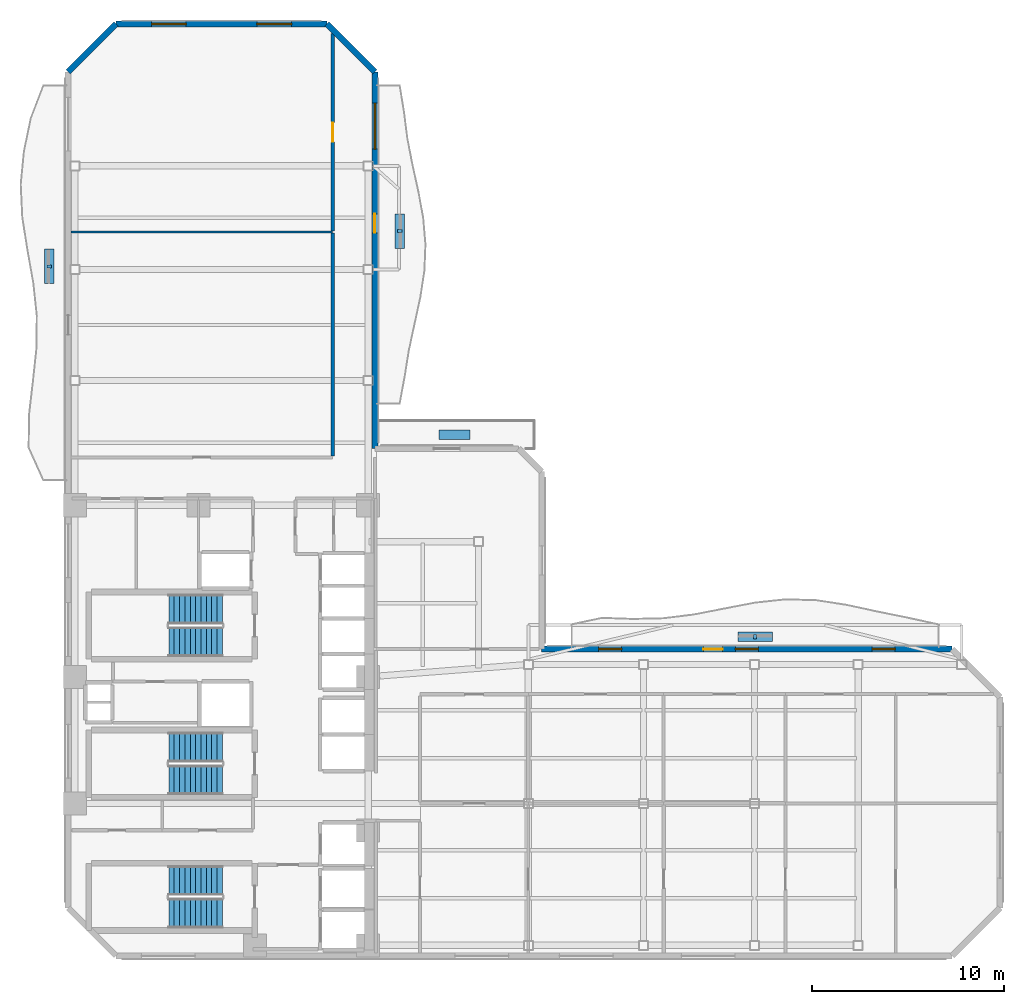
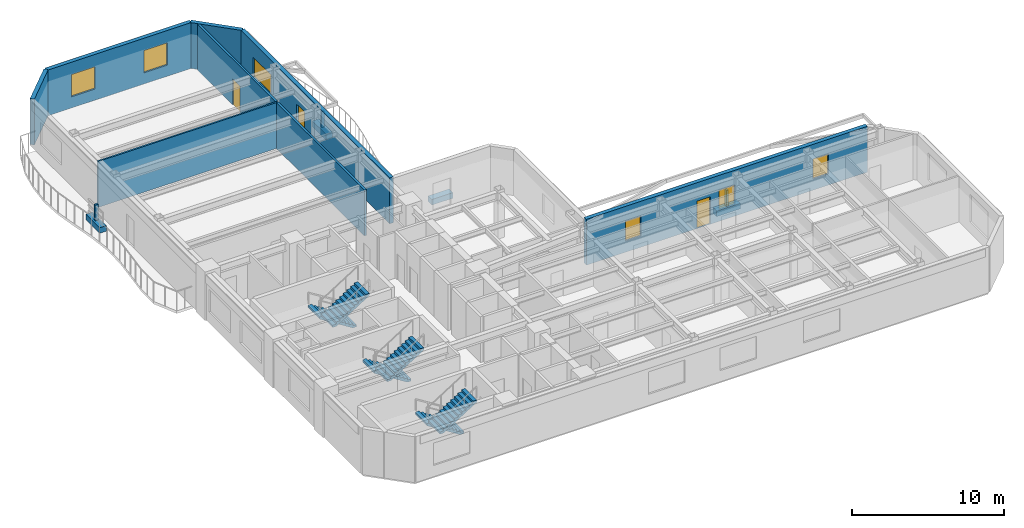
# One storey, part 6 of 12: 8 walls, 7 discrete accessories, 6 stair flights, 6 windows, 3 doors, 9 openings, 3 elements without a shape of their own.
"""IFC4 building model written with IfcOpenShell, lengths in metres."""

from ifc_helpers import new_model, si_unit, direction, frame, frame_2d, origin, origin_2d, place, context, subcontext, project, spatial, polyline, rectangle, outline, extrude, material, layer, layer_set, type_object, element, fill, aggregate, save


model = new_model("IFC4")

# Units and contexts
model_context = context("Model", 3, precision=1e-05, world=origin(), true_north=direction((0.0, 1.0)))
body_context = subcontext(model_context, "Body", "Model", "MODEL_VIEW")
ifc_project = project(units=[si_unit("LENGTHUNIT", "METRE"), si_unit("AREAUNIT", "SQUARE_METRE"), si_unit("VOLUMEUNIT", "CUBIC_METRE"), si_unit("PLANEANGLEUNIT", "RADIAN"), si_unit("MASSUNIT", "GRAM", prefix="KILO")], contexts=[model_context])

# Site, building, storey
site_placement = place(None, origin())
site = spatial("IfcSite", under=ifc_project, at=site_placement, CompositionType="ELEMENT")
building_placement = place(site_placement, origin())
building = spatial("IfcBuilding", under=site, at=building_placement, Name="Mawjaban Terraces University", CompositionType="ELEMENT")
storey_placement = place(building_placement, frame((0.0, 0.0, 134.60009765625)))
storey = spatial("IfcBuildingStorey", under=building, at=storey_placement, Name="L32", CompositionType="ELEMENT", Elevation=134.60009765625)

# Wall
ifc_material_1 = material(Name="Fire-rated gypsum board on steel stud", Category="steel")
ifc_layer_1 = layer(ifc_material_1, 0.159912109375)
ifc_layer_set_1 = layer_set([ifc_layer_1], Name="Fire-rated gypsum board on steel stud")
wall_type_1 = type_object("IfcWallType", Name="CorridorPartition_160", PredefinedType="PARTITIONING", material=ifc_layer_set_1)
wall_1_placement = place(storey_placement, frame((35.800048828125, 37.693115234375, 0.0), z_axis=(0.0, 0.0, 1.0), x_axis=(0.0, -1.0, 0.0)))
element("IfcWall", 1, at=wall_1_placement, inside=storey, type_object=wall_type_1, Name="L32 Inner Terrace Gallery Corridor North Partition 35", PredefinedType="PARTITIONING", context=body_context, shape_type="SweptSolid", body=[
    extrude(rectangle(XDim=11.6181640625, YDim=0.159912109375, at=frame_2d((5.80908203125, 0.0))), origin(), (0.0, 0.0, 1.0), 3.68994140625),
])

# Wall, opening, door
wall_2_placement = place(storey_placement, frame((35.800048828125, 48.094970703125, 0.0), z_axis=(0.0, 0.0, 1.0), x_axis=(0.0, -1.0, 0.0)))
wall_2 = element("IfcWall", 2, at=wall_2_placement, inside=storey, type_object=wall_type_1, Name="L32 Inner Terrace Gallery Corridor North Partition 36", PredefinedType="PARTITIONING", context=body_context, shape_type="SweptSolid", body=[
    extrude(rectangle(XDim=10.2880859375, YDim=0.159912109375, at=frame_2d((5.14404296875, 0.0))), origin(), (0.0, 0.0, 1.0), 3.68994140625),
])
opening_1_placement = place(wall_2_placement, frame((4.64404296875, 0.0, 0.0)))
opening_1 = element("IfcOpeningElement", 3, at=opening_1_placement, cuts=wall_2, Name="Opening ID-100", PredefinedType="OPENING", context=body_context, shape_type="SweptSolid", body=[
    extrude(rectangle(XDim=1.0, YDim=2.10009765625, at=frame_2d((0.5, 1.050048828125))), frame((0.0, 0.08984375, 0.0), z_axis=(0.0, -1.0, 0.0), x_axis=(1.0, 0.0, 0.0)), (0.0, 0.0, 1.0), 0.179931640625),
])
ifc_material_2 = material(Name="Powder-coated steel frame and solid acoustic timber leaf", Category="steel")
door_type_1 = type_object("IfcDoorType", Name="ClassroomDoor_1000x2100", OperationType="NOTDEFINED", PredefinedType="DOOR", material=ifc_material_2)
door_1_placement = place(opening_1_placement, origin())
door_1 = element("IfcDoor", 4, at=door_1_placement, inside=storey, type_object=door_type_1, Name="L32 Classroom 13 Door", OperationType="SINGLE_SWING_LEFT", OverallHeight=2.10009765625, OverallWidth=1.0, PredefinedType="DOOR", context=body_context, shape_type="SweptSolid", body=[
    extrude(rectangle(XDim=1.0, YDim=2.10009765625, at=frame_2d((0.5, 1.050048828125))), frame((0.0, 0.02490234375, 0.0), z_axis=(0.0, -1.0, 0.0), x_axis=(1.0, 0.0, 0.0)), (0.0, 0.0, 1.0), 0.050048828125),
])
fill(opening_1, door_1)

# Wall, openings, door, windows
ifc_material_3 = material(Name="Insulated terracotta rainscreen on concrete backup C40/50", Category="masonry")
ifc_layer_2 = layer(ifc_material_3, 0.300048828125)
ifc_layer_set_2 = layer_set([ifc_layer_2], Name="Insulated terracotta rainscreen on concrete backup C40/50")
wall_type_2 = type_object("IfcWallType", Name="ExtTerracottaWall_300", PredefinedType="SOLIDWALL", material=ifc_layer_set_2)
wall_3_placement = place(storey_placement, frame((68.10009765625, 16.0, 0.0), z_axis=(0.0, 0.0, 1.0), x_axis=(-1.0, 0.0, 0.0)))
wall_3 = element("IfcWall", 5, at=wall_3_placement, inside=storey, type_object=wall_type_2, Name="L32 Exterior Terracotta Wall 5", PredefinedType="SOLIDWALL", context=body_context, shape_type="SweptSolid", body=[
    extrude(rectangle(XDim=21.401123046875, YDim=0.300048828125, at=frame_2d((10.70068359375, 0.0))), origin(), (0.0, 0.0, 1.0), 3.68994140625),
])
opening_2_placement = place(wall_3_placement, frame((11.97412109375, 0.0, 0.0)))
opening_2 = element("IfcOpeningElement", 6, at=opening_2_placement, cuts=wall_3, Name="Opening BD-100", PredefinedType="OPENING", context=body_context, shape_type="SweptSolid", body=[
    extrude(rectangle(XDim=1.0, YDim=2.199951171875, at=frame_2d((0.5, 1.10009765625))), frame((0.0, 0.159912109375, 0.0), z_axis=(0.0, -1.0, 0.0), x_axis=(1.0, 0.0, 0.0)), (0.0, 0.0, 1.0), 0.320068359375),
])
opening_3_placement = place(wall_3_placement, frame((2.967041015625, 0.0, 0.89990234375)))
opening_3 = element("IfcOpeningElement", 7, at=opening_3_placement, cuts=wall_3, Name="Opening W-01", PredefinedType="OPENING", context=body_context, shape_type="SweptSolid", body=[
    extrude(rectangle(XDim=1.199951171875, YDim=1.60009765625, at=frame_2d((0.60009765625, 0.800048828125))), frame((0.0, 0.159912109375, 0.0), z_axis=(0.0, -1.0, 0.0), x_axis=(1.0, 0.0, 0.0)), (0.0, 0.0, 1.0), 0.320068359375),
])
opening_4_placement = place(wall_3_placement, frame((10.10009765625, 0.0, 0.89990234375)))
opening_4 = element("IfcOpeningElement", 8, at=opening_4_placement, cuts=wall_3, Name="Opening W-01", PredefinedType="OPENING", context=body_context, shape_type="SweptSolid", body=[
    extrude(rectangle(XDim=1.199951171875, YDim=1.60009765625, at=frame_2d((0.60009765625, 0.800048828125))), frame((0.0, 0.159912109375, 0.0), z_axis=(0.0, -1.0, 0.0), x_axis=(1.0, 0.0, 0.0)), (0.0, 0.0, 1.0), 0.320068359375),
])
opening_5_placement = place(wall_3_placement, frame((17.23388671875, 0.0, 0.89990234375)))
opening_5 = element("IfcOpeningElement", 9, at=opening_5_placement, cuts=wall_3, Name="Opening W-01", PredefinedType="OPENING", context=body_context, shape_type="SweptSolid", body=[
    extrude(rectangle(XDim=1.199951171875, YDim=1.60009765625, at=frame_2d((0.60009765625, 0.800048828125))), frame((0.0, 0.159912109375, 0.0), z_axis=(0.0, -1.0, 0.0), x_axis=(1.0, 0.0, 0.0)), (0.0, 0.0, 1.0), 0.320068359375),
])
ifc_material_4 = material(Name="Thermally broken anodised aluminium and laminated safety glass", Category="aluminium")
door_type_2 = type_object("IfcDoorType", Name="BalconyGlazedDoor_1000x2200", OperationType="NOTDEFINED", PredefinedType="DOOR", material=ifc_material_4)
door_2_placement = place(opening_2_placement, origin())
door_2 = element("IfcDoor", 10, at=door_2_placement, inside=storey, type_object=door_type_2, Name="L32 Balcony Access Door inner_north", OperationType="SINGLE_SWING_LEFT", OverallHeight=2.199951171875, OverallWidth=1.0, PredefinedType="DOOR", context=body_context, shape_type="SweptSolid", body=[
    extrude(rectangle(XDim=1.0, YDim=2.199951171875, at=frame_2d((0.5, 1.10009765625))), frame((0.0, 0.02490234375, 0.0), z_axis=(0.0, -1.0, 0.0), x_axis=(1.0, 0.0, 0.0)), (0.0, 0.0, 1.0), 0.050048828125),
])
fill(opening_2, door_2)
ifc_material_5 = material(Name="Low-E solar-control double glazing in thermally broken aluminium frame", Category="aluminium")
window_type_1 = type_object("IfcWindowType", Name="Win_1200x1600", PartitioningType="SINGLE_PANEL", PredefinedType="WINDOW", material=ifc_material_5)
window_1_placement = place(opening_3_placement, origin())
window_1 = element("IfcWindow", 11, at=window_1_placement, inside=storey, type_object=window_type_1, Name="L32 Facade Window 5.1", OverallHeight=1.60009765625, OverallWidth=1.199951171875, PartitioningType="SINGLE_PANEL", PredefinedType="WINDOW", context=body_context, shape_type="SweptSolid", body=[
    extrude(rectangle(XDim=1.199951171875, YDim=1.60009765625, at=frame_2d((0.60009765625, 0.800048828125))), frame((0.0, 0.030029296875, 0.0), z_axis=(0.0, -1.0, 0.0), x_axis=(1.0, 0.0, 0.0)), (0.0, 0.0, 1.0), 0.06005859375),
])
fill(opening_3, window_1)
window_2_placement = place(opening_4_placement, origin())
window_2 = element("IfcWindow", 12, at=window_2_placement, inside=storey, type_object=window_type_1, Name="L32 Facade Window 5.2", OverallHeight=1.60009765625, OverallWidth=1.199951171875, PartitioningType="SINGLE_PANEL", PredefinedType="WINDOW", context=body_context, shape_type="SweptSolid", body=[
    extrude(rectangle(XDim=1.199951171875, YDim=1.60009765625, at=frame_2d((0.60009765625, 0.800048828125))), frame((0.0, 0.030029296875, 0.0), z_axis=(0.0, -1.0, 0.0), x_axis=(1.0, 0.0, 0.0)), (0.0, 0.0, 1.0), 0.06005859375),
])
fill(opening_4, window_2)
window_3_placement = place(opening_5_placement, origin())
window_3 = element("IfcWindow", 13, at=window_3_placement, inside=storey, type_object=window_type_1, Name="L32 Facade Window 5.3", OverallHeight=1.60009765625, OverallWidth=1.199951171875, PartitioningType="SINGLE_PANEL", PredefinedType="WINDOW", context=body_context, shape_type="SweptSolid", body=[
    extrude(rectangle(XDim=1.199951171875, YDim=1.60009765625, at=frame_2d((0.60009765625, 0.800048828125))), frame((0.0, 0.030029296875, 0.0), z_axis=(0.0, -1.0, 0.0), x_axis=(1.0, 0.0, 0.0)), (0.0, 0.0, 1.0), 0.06005859375),
])
fill(opening_5, window_3)

# Wall, openings, door, window
wall_4_placement = place(storey_placement, frame((38.0, 26.449951171875, 0.0), z_axis=(0.0, 0.0, 1.0), x_axis=(0.0, 1.0, 0.0)))
wall_4 = element("IfcWall", 14, at=wall_4_placement, inside=storey, type_object=wall_type_2, Name="L32 Exterior Terracotta Wall 9", PredefinedType="SOLIDWALL", context=body_context, shape_type="SweptSolid", body=[
    extrude(rectangle(XDim=19.650146484375, YDim=0.300048828125, at=frame_2d((9.8251953125, 0.0))), origin(), (0.0, 0.0, 1.0), 3.68994140625),
])
opening_6_placement = place(wall_4_placement, frame((11.25, 0.0, 0.0)))
opening_6 = element("IfcOpeningElement", 15, at=opening_6_placement, cuts=wall_4, Name="Opening BD-100", PredefinedType="OPENING", context=body_context, shape_type="SweptSolid", body=[
    extrude(rectangle(XDim=1.0, YDim=2.199951171875, at=frame_2d((0.5, 1.10009765625))), frame((0.0, 0.159912109375, 0.0), z_axis=(0.0, -1.0, 0.0), x_axis=(1.0, 0.0, 0.0)), (0.0, 0.0, 1.0), 0.320068359375),
])
opening_7_placement = place(wall_4_placement, frame((15.625, 0.0, 0.89990234375)))
opening_7 = element("IfcOpeningElement", 16, at=opening_7_placement, cuts=wall_4, Name="Opening W-05", PredefinedType="OPENING", context=body_context, shape_type="SweptSolid", body=[
    extrude(rectangle(XDim=2.39990234375, YDim=1.60009765625, at=frame_2d((1.199951171875, 0.800048828125))), frame((0.0, 0.159912109375, 0.0), z_axis=(0.0, -1.0, 0.0), x_axis=(1.0, 0.0, 0.0)), (0.0, 0.0, 1.0), 0.320068359375),
])
door_3_placement = place(opening_6_placement, origin())
door_3 = element("IfcDoor", 17, at=door_3_placement, inside=storey, type_object=door_type_2, Name="L32 Balcony Access Door inner_east", OperationType="SINGLE_SWING_LEFT", OverallHeight=2.199951171875, OverallWidth=1.0, PredefinedType="DOOR", context=body_context, shape_type="SweptSolid", body=[
    extrude(rectangle(XDim=1.0, YDim=2.199951171875, at=frame_2d((0.5, 1.10009765625))), frame((0.0, 0.02490234375, 0.0), z_axis=(0.0, -1.0, 0.0), x_axis=(1.0, 0.0, 0.0)), (0.0, 0.0, 1.0), 0.050048828125),
])
fill(opening_6, door_3)
window_type_2 = type_object("IfcWindowType", Name="Win_2400x1600", PartitioningType="SINGLE_PANEL", PredefinedType="WINDOW", material=ifc_material_5)
window_4_placement = place(opening_7_placement, origin())
window_4 = element("IfcWindow", 18, at=window_4_placement, inside=storey, type_object=window_type_2, Name="L32 Facade Window 9.3", OverallHeight=1.60009765625, OverallWidth=2.39990234375, PartitioningType="SINGLE_PANEL", PredefinedType="WINDOW", context=body_context, shape_type="SweptSolid", body=[
    extrude(rectangle(XDim=2.39990234375, YDim=1.60009765625, at=frame_2d((1.199951171875, 0.800048828125))), frame((0.0, 0.030029296875, 0.0), z_axis=(0.0, -1.0, 0.0), x_axis=(1.0, 0.0, 0.0)), (0.0, 0.0, 1.0), 0.06005859375),
])
fill(opening_7, window_4)

# Wall
wall_5_placement = place(storey_placement, frame((38.0, 46.10009765625, 0.0), z_axis=(0.0, 0.0, 1.0), x_axis=(-0.707106781187, 0.707106781187, 0.0)))
element("IfcWall", 19, at=wall_5_placement, inside=storey, type_object=wall_type_2, Name="L32 Exterior Terracotta Wall 10", PredefinedType="SOLIDWALL", context=body_context, shape_type="SweptSolid", body=[
    extrude(rectangle(XDim=3.53564453125, YDim=0.300048828125, at=frame_2d((1.767822265625, 0.0))), origin(), (0.0, 0.0, 1.0), 3.68994140625),
])

# Wall, openings, windows
wall_6_placement = place(storey_placement, frame((35.5, 48.60009765625, 0.0), z_axis=(0.0, 0.0, 1.0), x_axis=(-1.0, 0.0, 0.0)))
wall_6 = element("IfcWall", 20, at=wall_6_placement, inside=storey, type_object=wall_type_2, Name="L32 Exterior Terracotta Wall 11", PredefinedType="SOLIDWALL", context=body_context, shape_type="SweptSolid", body=[
    extrude(rectangle(XDim=11.0, YDim=0.300048828125, at=frame_2d((5.5, 0.0))), origin(), (0.0, 0.0, 1.0), 3.68994140625),
])
opening_8_placement = place(wall_6_placement, frame((1.85009765625, 0.0, 0.89990234375)))
opening_8 = element("IfcOpeningElement", 21, at=opening_8_placement, cuts=wall_6, Name="Opening W-07", PredefinedType="OPENING", context=body_context, shape_type="SweptSolid", body=[
    extrude(rectangle(XDim=1.800048828125, YDim=1.800048828125, at=frame_2d((0.89990234375, 0.89990234375))), frame((0.0, 0.159912109375, 0.0), z_axis=(0.0, -1.0, 0.0), x_axis=(1.0, 0.0, 0.0)), (0.0, 0.0, 1.0), 0.320068359375),
])
opening_9_placement = place(wall_6_placement, frame((7.35009765625, 0.0, 0.89990234375)))
opening_9 = element("IfcOpeningElement", 22, at=opening_9_placement, cuts=wall_6, Name="Opening W-07", PredefinedType="OPENING", context=body_context, shape_type="SweptSolid", body=[
    extrude(rectangle(XDim=1.800048828125, YDim=1.800048828125, at=frame_2d((0.89990234375, 0.89990234375))), frame((0.0, 0.159912109375, 0.0), z_axis=(0.0, -1.0, 0.0), x_axis=(1.0, 0.0, 0.0)), (0.0, 0.0, 1.0), 0.320068359375),
])
window_type_3 = type_object("IfcWindowType", Name="Win_1800x1800", PartitioningType="SINGLE_PANEL", PredefinedType="WINDOW", material=ifc_material_5)
window_5_placement = place(opening_8_placement, origin())
window_5 = element("IfcWindow", 23, at=window_5_placement, inside=storey, type_object=window_type_3, Name="L32 Facade Window 11.1", OverallHeight=1.800048828125, OverallWidth=1.800048828125, PartitioningType="SINGLE_PANEL", PredefinedType="WINDOW", context=body_context, shape_type="SweptSolid", body=[
    extrude(rectangle(XDim=1.800048828125, YDim=1.800048828125, at=frame_2d((0.89990234375, 0.89990234375))), frame((0.0, 0.030029296875, 0.0), z_axis=(0.0, -1.0, 0.0), x_axis=(1.0, 0.0, 0.0)), (0.0, 0.0, 1.0), 0.06005859375),
])
fill(opening_8, window_5)
window_6_placement = place(opening_9_placement, origin())
window_6 = element("IfcWindow", 24, at=window_6_placement, inside=storey, type_object=window_type_3, Name="L32 Facade Window 11.2", OverallHeight=1.800048828125, OverallWidth=1.800048828125, PartitioningType="SINGLE_PANEL", PredefinedType="WINDOW", context=body_context, shape_type="SweptSolid", body=[
    extrude(rectangle(XDim=1.800048828125, YDim=1.800048828125, at=frame_2d((0.89990234375, 0.89990234375))), frame((0.0, 0.030029296875, 0.0), z_axis=(0.0, -1.0, 0.0), x_axis=(1.0, 0.0, 0.0)), (0.0, 0.0, 1.0), 0.06005859375),
])
fill(opening_9, window_6)

# Walls
wall_7_placement = place(storey_placement, frame((24.5, 48.60009765625, 0.0), z_axis=(0.0, 0.0, 1.0), x_axis=(-0.707106781187, -0.707106781187, 0.0)))
element("IfcWall", 25, at=wall_7_placement, inside=storey, type_object=wall_type_2, Name="L32 Exterior Terracotta Wall 12", PredefinedType="SOLIDWALL", context=body_context, shape_type="SweptSolid", body=[
    extrude(rectangle(XDim=3.53564453125, YDim=0.300048828125, at=frame_2d((1.767822265625, 0.0))), origin(), (0.0, 0.0, 1.0), 3.68994140625),
])
ifc_material_6 = material(Name="Gypsum plasterboard on steel stud", Category="steel")
ifc_layer_3 = layer(ifc_material_6, 0.125)
ifc_layer_set_3 = layer_set([ifc_layer_3], Name="Gypsum plasterboard on steel stud")
wall_type_3 = type_object("IfcWallType", Name="OfficePartition_125", PredefinedType="PARTITIONING", material=ifc_layer_set_3)
wall_8_placement = place(storey_placement, frame((35.800048828125, 37.75, 0.0), z_axis=(0.0, 0.0, 1.0), x_axis=(-1.0, 0.0, 0.0)))
element("IfcWall", 26, at=wall_8_placement, inside=storey, type_object=wall_type_3, Name="L32 Departmental Office 12 Partition 12", PredefinedType="PARTITIONING", context=body_context, shape_type="SweptSolid", body=[
    extrude(rectangle(XDim=13.655029296875, YDim=0.125, at=frame_2d((6.82763671875, 0.0))), origin(), (0.0, 0.0, 1.0), 3.68994140625),
])

# Stair, stair flights
ifc_material_7 = material(Name="Concrete C40/50", Category="concrete")
stair_type = type_object("IfcStairType", Name="Stair_Core1550_H39", PredefinedType="HALF_TURN_STAIR", material=ifc_material_7)
stair_1_placement = place(storey_placement, origin())
stair_1 = element("IfcStair", 27, at=stair_1_placement, inside=storey, type_object=stair_type, Name="L32 Core Exit Stair 1", PredefinedType="HALF_TURN_STAIR")
stair_flight_type = type_object("IfcStairFlightType", Name="Flight_Core1550_H39", PredefinedType="STRAIGHT", material=ifc_material_7)
stair_flight_1_placement = place(storey_placement, frame((30.050048828125, 3.925048828125, 0.0), z_axis=(0.0, 0.0, 1.0), x_axis=(-1.0, 0.0, 0.0)))
stair_flight_1 = element("IfcStairFlight", 28, at=stair_flight_1_placement, type_object=stair_flight_type, Name="ST-1 flight 1", NumberOfRisers=11, NumberOfTreads=10, PredefinedType="STRAIGHT", RiserHeight=0.177272727, TreadLength=0.28, context=body_context, shape_type="SweptSolid", body=[
    extrude(outline(polyline([(0.0, 0.0), (0.0, 0.17724609375), (0.280029296875, 0.17724609375), (0.280029296875, 0.3544921875), (0.56005859375, 0.3544921875), (0.56005859375, 0.53173828125), (0.840087890625, 0.53173828125), (0.840087890625, 0.708984375), (1.1201171875, 0.708984375), (1.1201171875, 0.886474609375), (1.39990234375, 0.886474609375), (1.39990234375, 1.063720703125), (1.679931640625, 1.063720703125), (1.679931640625, 1.240966796875), (1.9599609375, 1.240966796875), (1.9599609375, 1.418212890625), (2.239990234375, 1.418212890625), (2.239990234375, 1.595458984375), (2.52001953125, 1.595458984375), (2.52001953125, 1.772705078125), (2.800048828125, 1.772705078125), (2.800048828125, 1.949951171875), (2.800048828125, 1.59521484375), (0.2802734375, 0.0), (0.0, 0.0)])), frame((0.0, 0.77490234375, 0.0), z_axis=(0.0, -1.0, 0.0), x_axis=(1.0, 0.0, 0.0)), (0.0, 0.0, 1.0), 1.550048828125),
])
stair_flight_2_placement = place(storey_placement, frame((27.25, 2.22509765625, 1.949951171875), z_axis=(0.0, 0.0, 1.0), x_axis=(1.0, 0.0, 0.0)))
stair_flight_2 = element("IfcStairFlight", 29, at=stair_flight_2_placement, type_object=stair_flight_type, Name="ST-1 flight 2", NumberOfRisers=11, NumberOfTreads=10, PredefinedType="STRAIGHT", RiserHeight=0.177272727, TreadLength=0.28, context=body_context, shape_type="SweptSolid", body=[
    extrude(outline(polyline([(0.0, 0.0), (0.0, 0.17724609375), (0.280029296875, 0.17724609375), (0.280029296875, 0.3544921875), (0.56005859375, 0.3544921875), (0.56005859375, 0.53173828125), (0.840087890625, 0.53173828125), (0.840087890625, 0.708984375), (1.1201171875, 0.708984375), (1.1201171875, 0.886474609375), (1.39990234375, 0.886474609375), (1.39990234375, 1.063720703125), (1.679931640625, 1.063720703125), (1.679931640625, 1.240966796875), (1.9599609375, 1.240966796875), (1.9599609375, 1.418212890625), (2.239990234375, 1.418212890625), (2.239990234375, 1.595458984375), (2.52001953125, 1.595458984375), (2.52001953125, 1.772705078125), (2.800048828125, 1.772705078125), (2.800048828125, 1.949951171875), (2.800048828125, 1.59521484375), (0.2802734375, 0.0), (0.0, 0.0)])), frame((0.0, 0.77490234375, 0.0), z_axis=(0.0, -1.0, 0.0), x_axis=(1.0, 0.0, 0.0)), (0.0, 0.0, 1.0), 1.550048828125),
])
aggregate(stair_1, [stair_flight_1, stair_flight_2])

stair_2_placement = place(storey_placement, origin())
stair_2 = element("IfcStair", 30, at=stair_2_placement, inside=storey, type_object=stair_type, Name="L32 Core Exit Stair 2", PredefinedType="HALF_TURN_STAIR")
stair_flight_3_placement = place(storey_placement, frame((30.050048828125, 18.074951171875, 0.0), z_axis=(0.0, 0.0, 1.0), x_axis=(-1.0, 0.0, 0.0)))
stair_flight_3 = element("IfcStairFlight", 31, at=stair_flight_3_placement, type_object=stair_flight_type, Name="ST-2 flight 1", NumberOfRisers=11, NumberOfTreads=10, PredefinedType="STRAIGHT", RiserHeight=0.177272727, TreadLength=0.28, context=body_context, shape_type="SweptSolid", body=[
    extrude(outline(polyline([(0.0, 0.0), (0.0, 0.17724609375), (0.280029296875, 0.17724609375), (0.280029296875, 0.3544921875), (0.56005859375, 0.3544921875), (0.56005859375, 0.53173828125), (0.840087890625, 0.53173828125), (0.840087890625, 0.708984375), (1.1201171875, 0.708984375), (1.1201171875, 0.886474609375), (1.39990234375, 0.886474609375), (1.39990234375, 1.063720703125), (1.679931640625, 1.063720703125), (1.679931640625, 1.240966796875), (1.9599609375, 1.240966796875), (1.9599609375, 1.418212890625), (2.239990234375, 1.418212890625), (2.239990234375, 1.595458984375), (2.52001953125, 1.595458984375), (2.52001953125, 1.772705078125), (2.800048828125, 1.772705078125), (2.800048828125, 1.949951171875), (2.800048828125, 1.59521484375), (0.2802734375, 0.0), (0.0, 0.0)])), frame((0.0, 0.77490234375, 0.0), z_axis=(0.0, -1.0, 0.0), x_axis=(1.0, 0.0, 0.0)), (0.0, 0.0, 1.0), 1.550048828125),
])
stair_flight_4_placement = place(storey_placement, frame((27.25, 16.375, 1.949951171875), z_axis=(0.0, 0.0, 1.0), x_axis=(1.0, 0.0, 0.0)))
stair_flight_4 = element("IfcStairFlight", 32, at=stair_flight_4_placement, type_object=stair_flight_type, Name="ST-2 flight 2", NumberOfRisers=11, NumberOfTreads=10, PredefinedType="STRAIGHT", RiserHeight=0.177272727, TreadLength=0.28, context=body_context, shape_type="SweptSolid", body=[
    extrude(outline(polyline([(0.0, 0.0), (0.0, 0.17724609375), (0.280029296875, 0.17724609375), (0.280029296875, 0.3544921875), (0.56005859375, 0.3544921875), (0.56005859375, 0.53173828125), (0.840087890625, 0.53173828125), (0.840087890625, 0.708984375), (1.1201171875, 0.708984375), (1.1201171875, 0.886474609375), (1.39990234375, 0.886474609375), (1.39990234375, 1.063720703125), (1.679931640625, 1.063720703125), (1.679931640625, 1.240966796875), (1.9599609375, 1.240966796875), (1.9599609375, 1.418212890625), (2.239990234375, 1.418212890625), (2.239990234375, 1.595458984375), (2.52001953125, 1.595458984375), (2.52001953125, 1.772705078125), (2.800048828125, 1.772705078125), (2.800048828125, 1.949951171875), (2.800048828125, 1.59521484375), (0.2802734375, 0.0), (0.0, 0.0)])), frame((0.0, 0.77490234375, 0.0), z_axis=(0.0, -1.0, 0.0), x_axis=(1.0, 0.0, 0.0)), (0.0, 0.0, 1.0), 1.550048828125),
])
aggregate(stair_2, [stair_flight_3, stair_flight_4])

stair_3_placement = place(storey_placement, origin())
stair_3 = element("IfcStair", 33, at=stair_3_placement, inside=storey, type_object=stair_type, Name="L32 Core Exit Stair 3", PredefinedType="HALF_TURN_STAIR")
stair_flight_5_placement = place(storey_placement, frame((30.050048828125, 10.875, 0.0), z_axis=(0.0, 0.0, 1.0), x_axis=(-1.0, 0.0, 0.0)))
stair_flight_5 = element("IfcStairFlight", 34, at=stair_flight_5_placement, type_object=stair_flight_type, Name="ST-3 flight 1", NumberOfRisers=11, NumberOfTreads=10, PredefinedType="STRAIGHT", RiserHeight=0.177272727, TreadLength=0.28, context=body_context, shape_type="SweptSolid", body=[
    extrude(outline(polyline([(0.0, 0.0), (0.0, 0.17724609375), (0.280029296875, 0.17724609375), (0.280029296875, 0.3544921875), (0.56005859375, 0.3544921875), (0.56005859375, 0.53173828125), (0.840087890625, 0.53173828125), (0.840087890625, 0.708984375), (1.1201171875, 0.708984375), (1.1201171875, 0.886474609375), (1.39990234375, 0.886474609375), (1.39990234375, 1.063720703125), (1.679931640625, 1.063720703125), (1.679931640625, 1.240966796875), (1.9599609375, 1.240966796875), (1.9599609375, 1.418212890625), (2.239990234375, 1.418212890625), (2.239990234375, 1.595458984375), (2.52001953125, 1.595458984375), (2.52001953125, 1.772705078125), (2.800048828125, 1.772705078125), (2.800048828125, 1.949951171875), (2.800048828125, 1.59521484375), (0.2802734375, 0.0), (0.0, 0.0)])), frame((0.0, 0.77490234375, 0.0), z_axis=(0.0, -1.0, 0.0), x_axis=(1.0, 0.0, 0.0)), (0.0, 0.0, 1.0), 1.550048828125),
])
stair_flight_6_placement = place(storey_placement, frame((27.25, 9.175048828125, 1.949951171875), z_axis=(0.0, 0.0, 1.0), x_axis=(1.0, 0.0, 0.0)))
stair_flight_6 = element("IfcStairFlight", 35, at=stair_flight_6_placement, type_object=stair_flight_type, Name="ST-3 flight 2", NumberOfRisers=11, NumberOfTreads=10, PredefinedType="STRAIGHT", RiserHeight=0.177272727, TreadLength=0.28, context=body_context, shape_type="SweptSolid", body=[
    extrude(outline(polyline([(0.0, 0.0), (0.0, 0.17724609375), (0.280029296875, 0.17724609375), (0.280029296875, 0.3544921875), (0.56005859375, 0.3544921875), (0.56005859375, 0.53173828125), (0.840087890625, 0.53173828125), (0.840087890625, 0.708984375), (1.1201171875, 0.708984375), (1.1201171875, 0.886474609375), (1.39990234375, 0.886474609375), (1.39990234375, 1.063720703125), (1.679931640625, 1.063720703125), (1.679931640625, 1.240966796875), (1.9599609375, 1.240966796875), (1.9599609375, 1.418212890625), (2.239990234375, 1.418212890625), (2.239990234375, 1.595458984375), (2.52001953125, 1.595458984375), (2.52001953125, 1.772705078125), (2.800048828125, 1.772705078125), (2.800048828125, 1.949951171875), (2.800048828125, 1.59521484375), (0.2802734375, 0.0), (0.0, 0.0)])), frame((0.0, 0.77490234375, 0.0), z_axis=(0.0, -1.0, 0.0), x_axis=(1.0, 0.0, 0.0)), (0.0, 0.0, 1.0), 1.550048828125),
])
aggregate(stair_3, [stair_flight_5, stair_flight_6])

# Discrete accessories
ifc_material_8 = material(Name="Stainless steel 316L", Category="steel")
discrete_accessory_type_1 = type_object("IfcDiscreteAccessoryType", Name="FacadeScreenBracket_Steel", PredefinedType="BRACKET", material=ifc_material_8)
for number, where, z_axis, x_axis, name in (
    (36, (21.012939453125, 35.958984375, 0.419921875), (0.0, 0.0, 1.0), (0.0, 1.0, 0.0), "L32 Balcony Screen Support Bracket west"),
    (37, (57.825927734375, 16.64501953125, 0.419921875), (0.0, 0.0, 1.0), (1.0, 0.0, 0.0), "L32 Balcony Screen Support Bracket inner_north"),
    (38, (39.2880859375, 37.791015625, 0.419921875), (0.0, 0.0, 1.0), (0.0, 1.0, 0.0), "L32 Balcony Screen Support Bracket inner_east"),
):
    element("IfcDiscreteAccessory", number, at=place(storey_placement, frame(where, z_axis=z_axis, x_axis=x_axis)), inside=storey, type_object=discrete_accessory_type_1, Name=name, PredefinedType="BRACKET", context=body_context, shape_type="SweptSolid", body=[
        extrude(rectangle(XDim=0.159912109375, YDim=0.239990234375, at=origin_2d()), origin(), (0.0, 0.0, 1.0), 1.300048828125),
    ])
ifc_material_9 = material(Name="Precast architectural terracotta planter with engineered planting soil", Category="masonry")
discrete_accessory_type_2 = type_object("IfcDiscreteAccessoryType", Name="IrrigatedPlanterTrough_450", PredefinedType="USERDEFINED", material=ifc_material_9)
for number, where, z_axis, x_axis, name in (
    (39, (21.012939453125, 35.958984375, -0.0048828125), (0.0, 0.0, 1.0), (0.0, 1.0, 0.0), "L32 Balcony Irrigated Planter west"),
    (40, (57.825927734375, 16.64501953125, -0.0048828125), (0.0, 0.0, 1.0), (1.0, 0.0, 0.0), "L32 Balcony Irrigated Planter inner_north"),
    (41, (39.2880859375, 37.791015625, -0.0048828125), (0.0, 0.0, 1.0), (0.0, 1.0, 0.0), "L32 Balcony Irrigated Planter inner_east"),
):
    element("IfcDiscreteAccessory", number, at=place(storey_placement, frame(where, z_axis=z_axis, x_axis=x_axis)), inside=storey, type_object=discrete_accessory_type_2, Name=name, ObjectType="PLANTER", PredefinedType="USERDEFINED", context=body_context, shape_type="SweptSolid", body=[
        extrude(rectangle(XDim=1.800048828125, YDim=0.5, at=origin_2d()), origin(), (0.0, 0.0, 1.0), 0.449951171875),
    ])
discrete_accessory_placement = place(storey_placement, frame((42.14990234375, 27.175048828125, -0.0048828125), z_axis=(0.0, 0.0, 1.0), x_axis=(1.0, 0.0, 0.0)))
element("IfcDiscreteAccessory", 42, at=discrete_accessory_placement, inside=storey, type_object=discrete_accessory_type_2, Name="L32 Terrace Planter TER-L32-CLIMB", ObjectType="PLANTER", PredefinedType="USERDEFINED", context=body_context, shape_type="SweptSolid", body=[
    extrude(rectangle(XDim=1.60009765625, YDim=0.5, at=origin_2d()), origin(), (0.0, 0.0, 1.0), 0.449951171875),
])

save(model, "model.ifc")
